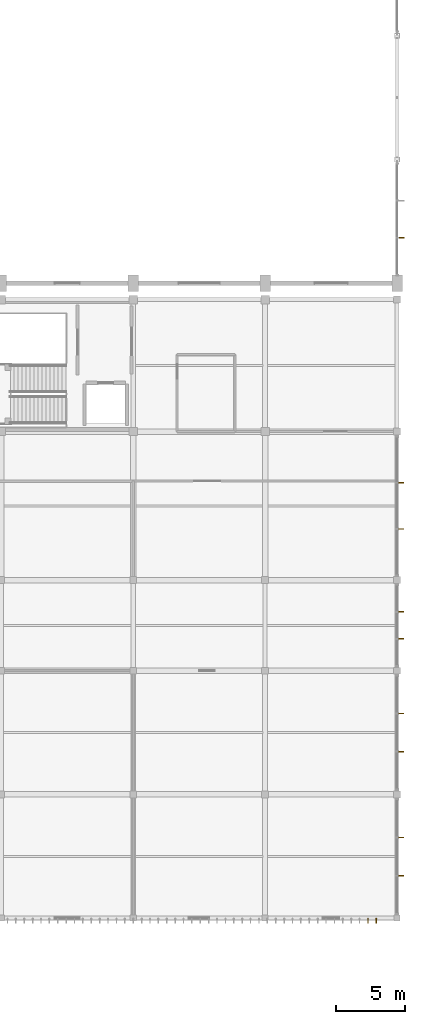
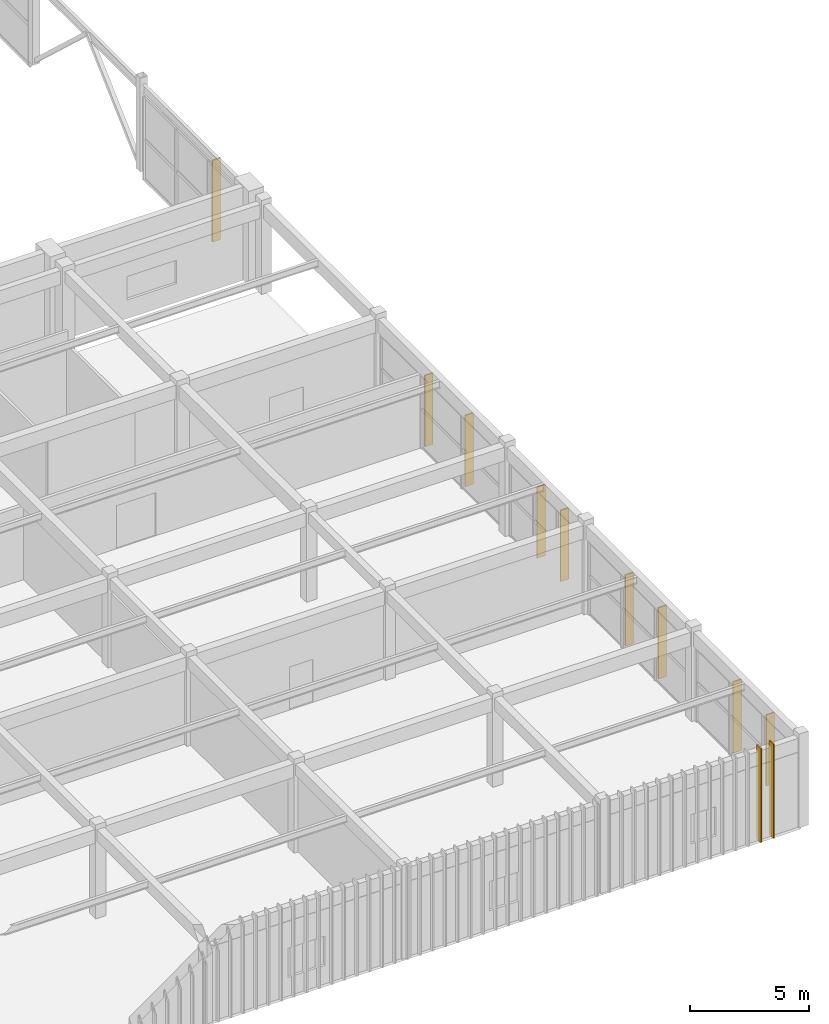
# One storey, part 70 of 74: 11 shading devices.
"""IFC4 building model written with IfcOpenShell, lengths in metres."""

from ifc_helpers import new_model, si_unit, direction, frame, origin, origin_2d, place, context, subcontext, project, spatial, rectangle, extrude, material, type_object, element, save


model = new_model("IFC4")

# Units and contexts
model_context = context("Model", 3, precision=1e-05, world=origin(), true_north=direction((0.0, 1.0)))
body_context = subcontext(model_context, "Body", "Model", "MODEL_VIEW")
ifc_project = project(units=[si_unit("LENGTHUNIT", "METRE"), si_unit("AREAUNIT", "SQUARE_METRE"), si_unit("VOLUMEUNIT", "CUBIC_METRE"), si_unit("PLANEANGLEUNIT", "RADIAN"), si_unit("MASSUNIT", "GRAM", prefix="KILO")], contexts=[model_context])

# Site, building, storey
site_placement = place(None, origin())
site = spatial("IfcSite", under=ifc_project, at=site_placement, CompositionType="ELEMENT")
building_placement = place(site_placement, origin())
building = spatial("IfcBuilding", under=site, at=building_placement, Name="Suirenkawa Promenade Aquatics Centre", CompositionType="ELEMENT")
storey_placement = place(building_placement, frame((0.0, 0.0, 4.800048828125)))
storey = spatial("IfcBuildingStorey", under=building, at=storey_placement, Name="L01", CompositionType="ELEMENT", Elevation=4.800048828125)

# Shading devices
ifc_material = material(Name="Anodised aluminium 6063-T6", Category="aluminium")
shading_device_type = type_object("IfcShadingDeviceType", Name="SDT-KOUSHI-400", PredefinedType="USERDEFINED", material=ifc_material)
shading_device_placement = place(storey_placement, frame((194.701904296875, 53.69970703125, -0.31005859375), z_axis=(0.0, 0.0, 1.0), x_axis=(1.0, 0.0, 0.0)))
element("IfcShadingDevice", 1, at=shading_device_placement, inside=storey, type_object=shading_device_type, Name="Vertical solar shading fin FN-01 FIN-0024", ObjectType="FIN", PredefinedType="USERDEFINED", context=body_context, shape_type="SweptSolid", body=[
    extrude(rectangle(XDim=0.39990234375, YDim=0.06005859375, at=origin_2d()), origin(), (0.0, 0.0, 1.0), 4.175048828125),
])
for number, where, z_axis, x_axis, name in (
    (2, (194.68701171875, 10.06689453125, 0.0400390625), (0.0, 0.0, 1.0), (1.0, 0.0, 0.0), "Vertical solar shading fin FN-01 FIN-0037"),
    (3, (194.68701171875, 7.282958984375, 0.0400390625), (0.0, 0.0, 1.0), (1.0, 0.0, 0.0), "Vertical solar shading fin FN-01 FIN-0038"),
    (4, (194.68701171875, 19.083740234375, 0.0400390625), (0.0, 0.0, 1.0), (1.0, 0.0, 0.0), "Vertical solar shading fin FN-01 FIN-0041"),
    (5, (194.68701171875, 16.31640625, 0.0400390625), (0.0, 0.0, 1.0), (1.0, 0.0, 0.0), "Vertical solar shading fin FN-01 FIN-0042"),
    (6, (194.68701171875, 26.483642578125, 0.0400390625), (0.0, 0.0, 1.0), (1.0, 0.0, 0.0), "Vertical solar shading fin FN-01 FIN-0045"),
    (7, (194.68701171875, 24.516357421875, 0.0400390625), (0.0, 0.0, 1.0), (1.0, 0.0, 0.0), "Vertical solar shading fin FN-01 FIN-0046"),
    (8, (194.68701171875, 35.8837890625, 0.0400390625), (0.0, 0.0, 1.0), (1.0, 0.0, 0.0), "Vertical solar shading fin FN-01 FIN-0049"),
    (9, (194.68701171875, 32.516357421875, 0.0400390625), (0.0, 0.0, 1.0), (1.0, 0.0, 0.0), "Vertical solar shading fin FN-01 FIN-0050"),
):
    element("IfcShadingDevice", number, at=place(storey_placement, frame(where, z_axis=z_axis, x_axis=x_axis)), inside=storey, type_object=shading_device_type, Name=name, ObjectType="FIN", PredefinedType="USERDEFINED", context=body_context, shape_type="SweptSolid", body=[
        extrude(rectangle(XDim=0.39990234375, YDim=0.06005859375, at=origin_2d()), origin(), (0.0, 0.0, 1.0), 3.639892578125),
    ])
for number, where, z_axis, x_axis, name in (
    (10, (192.280029296875, 4.02001953125, 0.0), (0.0, 0.0, 1.0), (1.0, 0.0, 0.0), "Koushi facade sunshade SH-01 SHD-0319"),
    (11, (192.889892578125, 4.02001953125, 0.0), (0.0, 0.0, 1.0), (1.0, 0.0, 0.0), "Koushi facade sunshade SH-01 SHD-0320"),
):
    element("IfcShadingDevice", number, at=place(storey_placement, frame(where, z_axis=z_axis, x_axis=x_axis)), inside=storey, type_object=shading_device_type, Name=name, ObjectType="FIN", PredefinedType="USERDEFINED", context=body_context, shape_type="SweptSolid", body=[
        extrude(rectangle(XDim=0.06005859375, YDim=0.360107421875, at=origin_2d()), origin(), (0.0, 0.0, 1.0), 4.800048828125),
    ])

save(model, "model.ifc")
